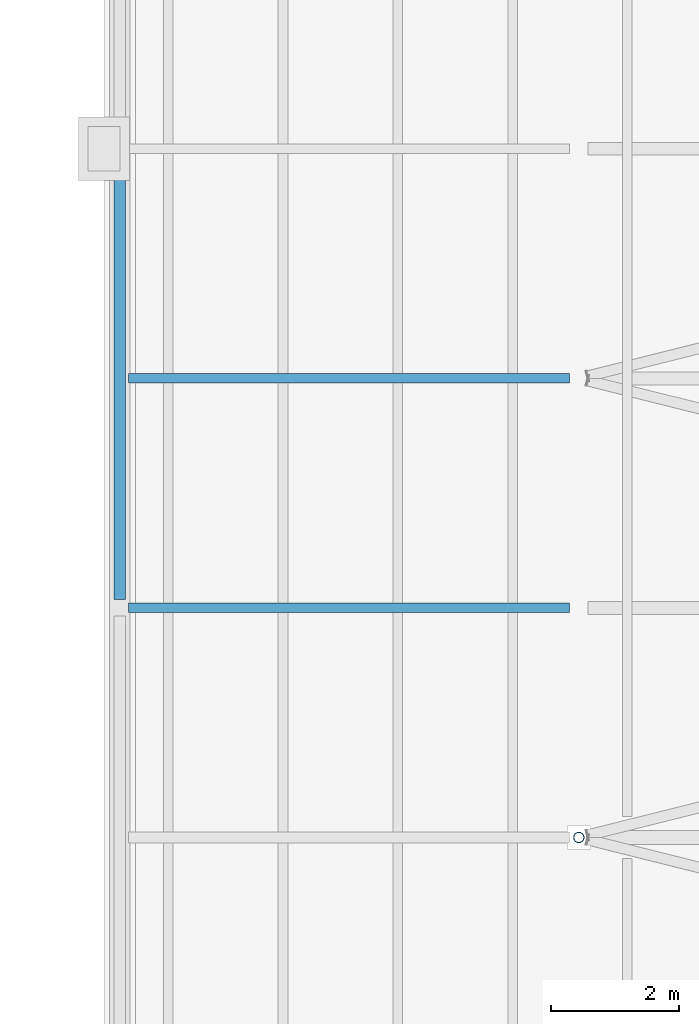
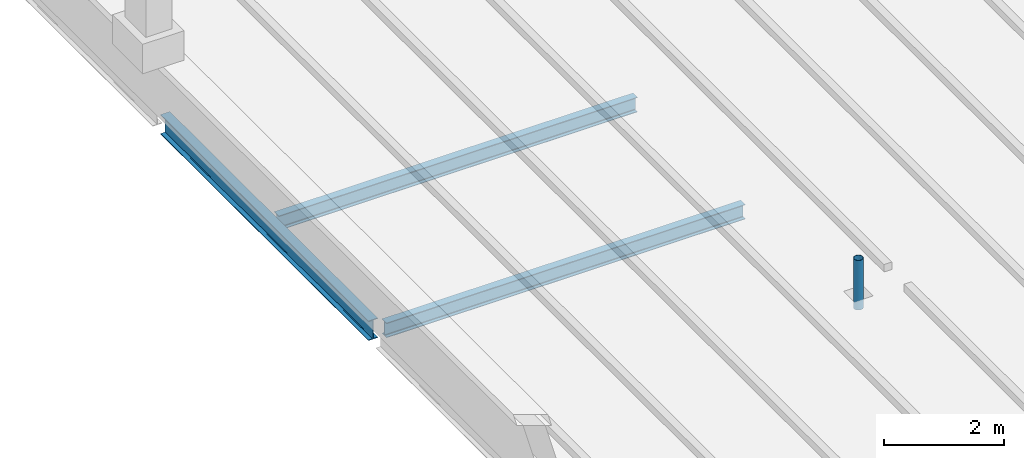
# One storey, part 13 of 120: 3 beams, 1 member.
"""IFC4 building model written with IfcOpenShell, lengths in metres."""

from ifc_helpers import new_model, si_unit, direction, frame, origin, origin_2d, place, context, subcontext, project, spatial, hollow_circle, i_section, extrude, material, material_profile, profile_set, type_object, element, save


model = new_model("IFC4")

# Units and contexts
model_context = context("Model", 3, precision=1e-05, world=origin(), true_north=direction((0.0, 1.0)))
body_context = subcontext(model_context, "Body", "Model", "MODEL_VIEW")
ifc_project = project(units=[si_unit("LENGTHUNIT", "METRE"), si_unit("AREAUNIT", "SQUARE_METRE"), si_unit("VOLUMEUNIT", "CUBIC_METRE"), si_unit("PLANEANGLEUNIT", "RADIAN"), si_unit("MASSUNIT", "GRAM", prefix="KILO")], contexts=[model_context])

# Site, building, storey
site_placement = place(None, origin())
site = spatial("IfcSite", under=ifc_project, at=site_placement, CompositionType="ELEMENT")
building_placement = place(site_placement, origin())
building = spatial("IfcBuilding", under=site, at=building_placement, Name="Kupolbacken Congress Centre", CompositionType="ELEMENT")
storey_placement = place(building_placement, frame((0.0, 0.0, 21.60009765625)))
storey = spatial("IfcBuildingStorey", under=building, at=storey_placement, Name="L06", CompositionType="ELEMENT", Elevation=21.60009765625)

# Beams
ifc_material_1 = material(Name="Steel S355", Category="steel")
ifc_material_profile_1 = material_profile(ifc_material_1, i_section(OverallWidth=0.14990234375, OverallDepth=0.300048828125, WebThickness=0.007080078125, FlangeThickness=0.0107421875, FilletRadius=0.014892578125, at=origin_2d()), Name="IPE 300")
ifc_profile_set_1 = profile_set([ifc_material_profile_1], Name="Steel S355")
beam_type_1 = type_object("IfcBeamType", Name="B04 beam IPE 300", PredefinedType="BEAM", material=ifc_profile_set_1)
for number, where, z_axis, x_axis, name in (
    (1, (86.5400390625, 64.800048828125, -0.150146484375), (1.0, 0.0, 0.0), (0.0, 1.0, 0.0), "HR/P06-00"),
    (2, (86.5400390625, 68.39990234375, -0.150146484375), (1.0, 0.0, 0.0), (0.0, 1.0, 0.0), "HR/P07-00"),
):
    element("IfcBeam", number, at=place(storey_placement, frame(where, z_axis=z_axis, x_axis=x_axis)), inside=storey, type_object=beam_type_1, Name=name, PredefinedType="BEAM", context=body_context, shape_type="SweptSolid", body=[
        extrude(i_section(OverallWidth=0.14990234375, OverallDepth=0.300048828125, WebThickness=0.007080078125, FlangeThickness=0.0107421875, FilletRadius=0.014892578125, at=origin_2d()), origin(), (0.0, 0.0, 1.0), 6.9150390625),
    ])
ifc_material_2 = material(Name="Steel S355", Category="steel")
ifc_material_profile_2 = material_profile(ifc_material_2, i_section(OverallWidth=0.179931640625, OverallDepth=0.39990234375, WebThickness=0.008544921875, FlangeThickness=0.013427734375, FilletRadius=0.02099609375, at=origin_2d()), Name="IPE 400")
ifc_profile_set_2 = profile_set([ifc_material_profile_2], Name="Steel S355")
beam_type_2 = type_object("IfcBeamType", Name="B07 beam IPE 400", PredefinedType="BEAM", material=ifc_profile_set_2)
beam_placement = place(storey_placement, frame((86.39990234375, 64.929931640625, -0.2001953125), z_axis=(0.0, 1.0, 0.0), x_axis=(-1.0, 0.0, 0.0)))
element("IfcBeam", 3, at=beam_placement, inside=storey, type_object=beam_type_2, Name="HR/GW04", PredefinedType="BEAM", context=body_context, shape_type="SweptSolid", body=[
    extrude(i_section(OverallWidth=0.179931640625, OverallDepth=0.39990234375, WebThickness=0.008544921875, FlangeThickness=0.013427734375, FilletRadius=0.02099609375, at=origin_2d()), origin(), (0.0, 0.0, 1.0), 6.940185546875),
])

# Member
ifc_material_3 = material(Name="Steel S355", Category="steel")
ifc_material_profile_3 = material_profile(ifc_material_3, hollow_circle(Radius=0.084228515625, WallThickness=0.008056640625, at=origin_2d()), Name="CHS 168.3 x 8")
ifc_profile_set_3 = profile_set([ifc_material_profile_3], Name="Steel S355")
member_type = type_object("IfcMemberType", Name="M20 transfer truss post CHS 168.3 x 8", PredefinedType="STRUT", material=ifc_profile_set_3)
member_placement = place(storey_placement, frame((93.60009765625, 61.199951171875, -0.010009765625), z_axis=(0.0, 0.0, 1.0), x_axis=(1.0, 0.0, 0.0)))
element("IfcMember", 4, at=member_placement, inside=storey, type_object=member_type, Name="Roof stay anchor post M1S.1", PredefinedType="STRUT", context=body_context, shape_type="SweptSolid", body=[
    extrude(hollow_circle(Radius=0.084228515625, WallThickness=0.008056640625, at=origin_2d()), origin(), (0.0, 0.0, 1.0), 1.010009765625),
])

save(model, "model.ifc")
